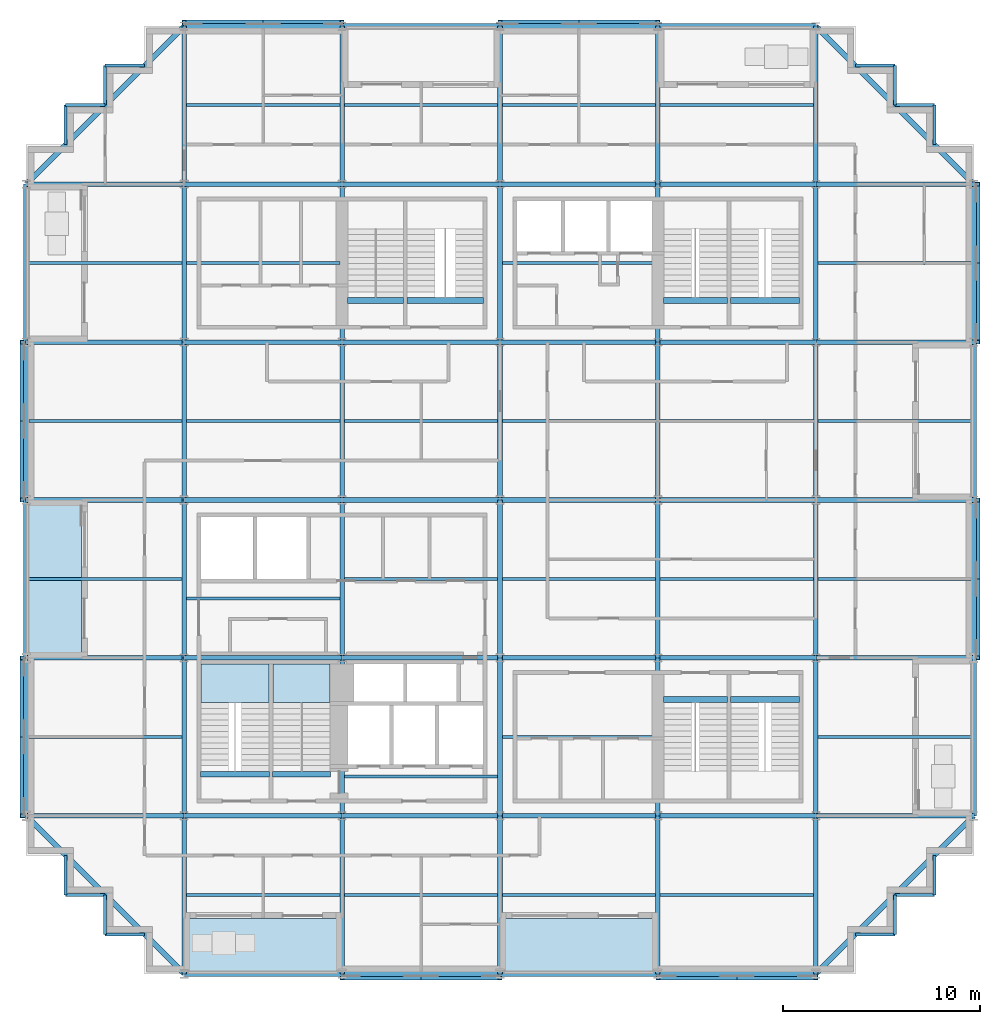
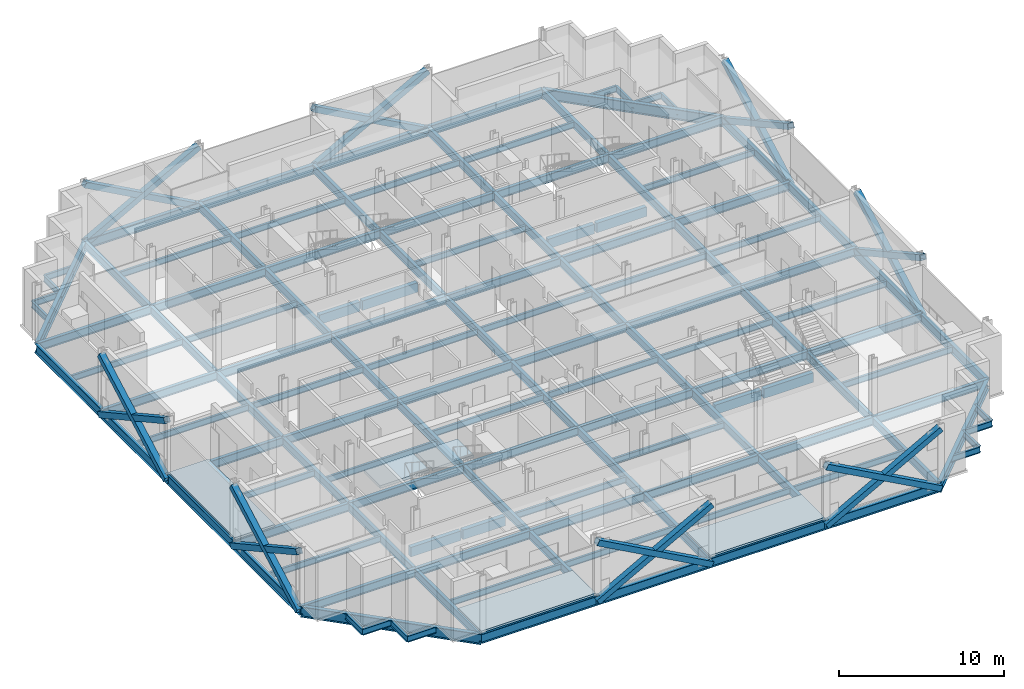
# One storey, part 4 of 15: 132 beams, 16 members, 5 slabs, 2 elements without a shape of their own.
"""IFC4 building model written with IfcOpenShell, lengths in metres."""

from ifc_helpers import new_model, si_unit, direction, frame, origin, origin_2d, place, context, subcontext, project, spatial, polyline, rectangle, hollow_rectangle, i_section, outline, extrude, material, layer, layer_set, material_profile, profile_set, type_object, element, aggregate, save


model = new_model("IFC4")

# Units and contexts
model_context = context("Model", 3, precision=1e-05, world=origin(), true_north=direction((0.0, 1.0)))
body_context = subcontext(model_context, "Body", "Model", "MODEL_VIEW")
ifc_project = project(units=[si_unit("LENGTHUNIT", "METRE"), si_unit("AREAUNIT", "SQUARE_METRE"), si_unit("VOLUMEUNIT", "CUBIC_METRE"), si_unit("PLANEANGLEUNIT", "RADIAN"), si_unit("MASSUNIT", "GRAM", prefix="KILO")], contexts=[model_context])

# Site, building, storey
site_placement = place(None, origin())
site = spatial("IfcSite", under=ifc_project, at=site_placement, CompositionType="ELEMENT")
building_placement = place(site_placement, origin())
building = spatial("IfcBuilding", under=site, at=building_placement, Name="Immortelle Media Tower", CompositionType="ELEMENT")
storey_placement = place(building_placement, frame((0.0, 0.0, 65.60009765625)))
storey = spatial("IfcBuildingStorey", under=building, at=storey_placement, Name="L11", CompositionType="ELEMENT", Elevation=65.60009765625)

# Members
ifc_material_1 = material(Name="Steel ASTM A500 Gr C", Category="steel")
ifc_material_profile_1 = material_profile(ifc_material_1, hollow_rectangle(XDim=0.406005859375, YDim=0.406005859375, WallThickness=0.014892578125, at=origin_2d()), Name="HSS16x16x5/8 brace")
ifc_profile_set_1 = profile_set([ifc_material_profile_1], Name="Steel ASTM A500 Gr C")
member_type = type_object("IfcMemberType", Name="HSS16x16x5/8 brace", PredefinedType="BRACE", material=ifc_profile_set_1)
for number, where, z_axis, x_axis, name in (
    (1, (-0.113037109375, 32.0, -0.49658203125), (0.0, -0.876220425204, 0.481910537812), (1.0, 0.0, 0.0), "Brace 1/D-E A"),
    (2, (-0.113037109375, 32.0, 3.9033203125), (0.0, -0.876220425204, -0.481910537812), (1.0, 0.0, 0.0), "Brace 1/D-E B"),
    (3, (-0.113037109375, 16.0, -0.49658203125), (0.0, -0.876220425204, 0.481910537812), (1.0, 0.0, 0.0), "Brace 1/B-C A"),
    (4, (-0.113037109375, 16.0, 3.9033203125), (0.0, -0.876220425204, -0.481910537812), (1.0, 0.0, 0.0), "Brace 1/B-C B"),
    (5, (16.0, -0.113037109375, -0.49658203125), (0.876220425204, 0.0, 0.481910537812), (0.0, 1.0, 0.0), "Brace A/3-4 A"),
    (6, (16.0, -0.113037109375, 3.9033203125), (0.876220425204, 0.0, -0.481910537812), (0.0, 1.0, 0.0), "Brace A/3-4 B"),
    (7, (32.0, -0.113037109375, -0.49658203125), (0.876220425204, 0.0, 0.481910537812), (0.0, 1.0, 0.0), "Brace A/5-6 A"),
    (8, (32.0, -0.113037109375, 3.9033203125), (0.876220425204, 0.0, -0.481910537812), (0.0, 1.0, 0.0), "Brace A/5-6 B"),
    (9, (48.113037109375, 16.0, -0.49658203125), (0.0, 0.876220425204, 0.481910537812), (-1.0, 0.0, 0.0), "Brace 7/C-D A"),
    (10, (48.113037109375, 16.0, 3.9033203125), (0.0, 0.876220425204, -0.481910537812), (-1.0, 0.0, 0.0), "Brace 7/C-D B"),
    (11, (48.113037109375, 32.0, -0.49658203125), (0.0, 0.876220425204, 0.481910537812), (-1.0, 0.0, 0.0), "Brace 7/E-F A"),
    (12, (48.113037109375, 32.0, 3.9033203125), (0.0, 0.876220425204, -0.481910537812), (-1.0, 0.0, 0.0), "Brace 7/E-F B"),
    (13, (32.0, 48.113037109375, -0.49658203125), (-0.876220425204, 0.0, 0.481910537812), (0.0, -1.0, 0.0), "Brace G/4-5 A"),
    (14, (32.0, 48.113037109375, 3.9033203125), (-0.876220425204, 0.0, -0.481910537812), (0.0, -1.0, 0.0), "Brace G/4-5 B"),
    (15, (16.0, 48.113037109375, -0.49658203125), (-0.876220425204, 0.0, 0.481910537812), (0.0, -1.0, 0.0), "Brace G/2-3 A"),
    (16, (16.0, 48.113037109375, 3.9033203125), (-0.876220425204, 0.0, -0.481910537812), (0.0, -1.0, 0.0), "Brace G/2-3 B"),
):
    element("IfcMember", number, at=place(storey_placement, frame(where, z_axis=z_axis, x_axis=x_axis)), inside=storey, type_object=member_type, Name=name, PredefinedType="BRACE", context=body_context, shape_type="SweptSolid", body=[
        extrude(hollow_rectangle(XDim=0.406005859375, YDim=0.406005859375, WallThickness=0.014892578125, at=origin_2d()), origin(), (0.0, 0.0, 1.0), 9.130126953125),
    ])

# Beams
ifc_material_2 = material(Name="Concrete C50/60", Category="concrete")
ifc_material_profile_2 = material_profile(ifc_material_2, rectangle(XDim=0.300048828125, YDim=0.699951171875, at=origin_2d()), Name="RC 300x700")
ifc_profile_set_2 = profile_set([ifc_material_profile_2], Name="Concrete C50/60")
beam_type_1 = type_object("IfcBeamType", Name="Stair trimmer beam 300 x 700", PredefinedType="BEAM", material=ifc_profile_set_2)
beam_1_placement = place(storey_placement, frame((8.830078125, 10.10498046875, -0.5), z_axis=(1.0, 0.0, 0.0), x_axis=(0.0, 1.0, 0.0)))
element("IfcBeam", 17, at=beam_1_placement, inside=storey, type_object=beam_type_1, Name="Stair trimmer beam SW1", PredefinedType="BEAM", context=body_context, shape_type="SweptSolid", body=[
    extrude(rectangle(XDim=0.300048828125, YDim=0.699951171875, at=origin_2d()), origin(), (0.0, 0.0, 1.0), 3.489990234375),
])
beam_2_placement = place(storey_placement, frame((12.47998046875, 10.10498046875, -0.5), z_axis=(1.0, 0.0, 0.0), x_axis=(0.0, 1.0, 0.0)))
element("IfcBeam", 18, at=beam_2_placement, inside=storey, type_object=beam_type_1, Name="Stair trimmer beam SW2", PredefinedType="BEAM", context=body_context, shape_type="SweptSolid", body=[
    extrude(rectangle(XDim=0.300048828125, YDim=0.699951171875, at=origin_2d()), origin(), (0.0, 0.0, 1.0), 2.93994140625),
])
beam_3_placement = place(storey_placement, frame((32.280029296875, 13.89501953125, -0.5), z_axis=(1.0, 0.0, 0.0), x_axis=(0.0, 1.0, 0.0)))
element("IfcBeam", 19, at=beam_3_placement, inside=storey, type_object=beam_type_1, Name="Stair trimmer beam SE1", PredefinedType="BEAM", context=body_context, shape_type="SweptSolid", body=[
    extrude(rectangle(XDim=0.300048828125, YDim=0.699951171875, at=origin_2d()), origin(), (0.0, 0.0, 1.0), 3.239990234375),
])
beam_4_placement = place(storey_placement, frame((35.679931640625, 13.89501953125, -0.5), z_axis=(1.0, 0.0, 0.0), x_axis=(0.0, 1.0, 0.0)))
element("IfcBeam", 20, at=beam_4_placement, inside=storey, type_object=beam_type_1, Name="Stair trimmer beam SE2", PredefinedType="BEAM", context=body_context, shape_type="SweptSolid", body=[
    extrude(rectangle(XDim=0.300048828125, YDim=0.699951171875, at=origin_2d()), origin(), (0.0, 0.0, 1.0), 3.489990234375),
])
beam_5_placement = place(storey_placement, frame((16.280029296875, 34.10498046875, -0.5), z_axis=(1.0, 0.0, 0.0), x_axis=(0.0, 1.0, 0.0)))
element("IfcBeam", 21, at=beam_5_placement, inside=storey, type_object=beam_type_1, Name="Stair trimmer beam NW1", PredefinedType="BEAM", context=body_context, shape_type="SweptSolid", body=[
    extrude(rectangle(XDim=0.300048828125, YDim=0.699951171875, at=origin_2d()), origin(), (0.0, 0.0, 1.0), 2.840087890625),
])
beam_6_placement = place(storey_placement, frame((19.280029296875, 34.10498046875, -0.5), z_axis=(1.0, 0.0, 0.0), x_axis=(0.0, 1.0, 0.0)))
element("IfcBeam", 22, at=beam_6_placement, inside=storey, type_object=beam_type_1, Name="Stair trimmer beam NW2", PredefinedType="BEAM", context=body_context, shape_type="SweptSolid", body=[
    extrude(rectangle(XDim=0.300048828125, YDim=0.699951171875, at=origin_2d()), origin(), (0.0, 0.0, 1.0), 3.889892578125),
])
beam_7_placement = place(storey_placement, frame((32.280029296875, 34.10498046875, -0.5), z_axis=(1.0, 0.0, 0.0), x_axis=(0.0, 1.0, 0.0)))
element("IfcBeam", 23, at=beam_7_placement, inside=storey, type_object=beam_type_1, Name="Stair trimmer beam NE1", PredefinedType="BEAM", context=body_context, shape_type="SweptSolid", body=[
    extrude(rectangle(XDim=0.300048828125, YDim=0.699951171875, at=origin_2d()), origin(), (0.0, 0.0, 1.0), 3.239990234375),
])
beam_8_placement = place(storey_placement, frame((35.679931640625, 34.10498046875, -0.5), z_axis=(1.0, 0.0, 0.0), x_axis=(0.0, 1.0, 0.0)))
element("IfcBeam", 24, at=beam_8_placement, inside=storey, type_object=beam_type_1, Name="Stair trimmer beam NE2", PredefinedType="BEAM", context=body_context, shape_type="SweptSolid", body=[
    extrude(rectangle(XDim=0.300048828125, YDim=0.699951171875, at=origin_2d()), origin(), (0.0, 0.0, 1.0), 3.489990234375),
])
ifc_material_3 = material(Name="Steel ASTM A992 Gr 50", Category="steel")
ifc_material_profile_3 = material_profile(ifc_material_3, i_section(OverallWidth=0.153076171875, OverallDepth=0.455078125, WebThickness=0.008056640625, FlangeThickness=0.012939453125, at=origin_2d()), Name="W18x40")
ifc_profile_set_3 = profile_set([ifc_material_profile_3], Name="Steel ASTM A992 Gr 50")
beam_type_2 = type_object("IfcBeamType", Name="W18x40 secondary beam", PredefinedType="JOIST", material=ifc_profile_set_3)
for number, where, z_axis, x_axis, name in (
    (25, (8.114501953125, 4.0, -0.377685546875), (1.0, 0.0, 0.0), (0.0, 1.0, 0.0), "Beam A-B/2-3"),
    (26, (16.114501953125, 4.0, -0.377685546875), (1.0, 0.0, 0.0), (0.0, 1.0, 0.0), "Beam A-B/3-4"),
    (27, (24.114501953125, 4.0, -0.377685546875), (1.0, 0.0, 0.0), (0.0, 1.0, 0.0), "Beam A-B/4-5"),
    (28, (32.114501953125, 4.0, -0.377685546875), (1.0, 0.0, 0.0), (0.0, 1.0, 0.0), "Beam A-B/5-6"),
):
    element("IfcBeam", number, at=place(storey_placement, frame(where, z_axis=z_axis, x_axis=x_axis)), inside=storey, type_object=beam_type_2, Name=name, PredefinedType="JOIST", context=body_context, shape_type="SweptSolid", body=[
        extrude(i_section(OverallWidth=0.153076171875, OverallDepth=0.455078125, WebThickness=0.008056640625, FlangeThickness=0.012939453125, at=origin_2d()), origin(), (0.0, 0.0, 1.0), 7.77099609375),
    ])
beam_9_placement = place(storey_placement, frame((0.12841796875, 12.0, -0.377685546875), z_axis=(1.0, 0.0, 0.0), x_axis=(0.0, 1.0, 0.0)))
element("IfcBeam", 29, at=beam_9_placement, inside=storey, type_object=beam_type_2, Name="Beam B-C/1-2", PredefinedType="JOIST", context=body_context, shape_type="SweptSolid", body=[
    extrude(i_section(OverallWidth=0.153076171875, OverallDepth=0.455078125, WebThickness=0.008056640625, FlangeThickness=0.012939453125, at=origin_2d()), origin(), (0.0, 0.0, 1.0), 7.757080078125),
])
for number, where, z_axis, x_axis, name in (
    (30, (16.114501953125, 10.0, -0.377685546875), (1.0, 0.0, 0.0), (0.0, 1.0, 0.0), "Beam B-C/3-4"),
    (31, (24.114501953125, 12.0, -0.377685546875), (1.0, 0.0, 0.0), (0.0, 1.0, 0.0), "Beam B-C/4-5"),
):
    element("IfcBeam", number, at=place(storey_placement, frame(where, z_axis=z_axis, x_axis=x_axis)), inside=storey, type_object=beam_type_2, Name=name, PredefinedType="JOIST", context=body_context, shape_type="SweptSolid", body=[
        extrude(i_section(OverallWidth=0.153076171875, OverallDepth=0.455078125, WebThickness=0.008056640625, FlangeThickness=0.012939453125, at=origin_2d()), origin(), (0.0, 0.0, 1.0), 7.77099609375),
    ])
for number, where, z_axis, x_axis, name in (
    (32, (40.114501953125, 12.0, -0.377685546875), (1.0, 0.0, 0.0), (0.0, 1.0, 0.0), "Beam B-C/6-7"),
    (33, (0.12841796875, 20.0, -0.377685546875), (1.0, 0.0, 0.0), (0.0, 1.0, 0.0), "Beam C-D/1-2"),
):
    element("IfcBeam", number, at=place(storey_placement, frame(where, z_axis=z_axis, x_axis=x_axis)), inside=storey, type_object=beam_type_2, Name=name, PredefinedType="JOIST", context=body_context, shape_type="SweptSolid", body=[
        extrude(i_section(OverallWidth=0.153076171875, OverallDepth=0.455078125, WebThickness=0.008056640625, FlangeThickness=0.012939453125, at=origin_2d()), origin(), (0.0, 0.0, 1.0), 7.757080078125),
    ])
for number, where, z_axis, x_axis, name in (
    (34, (8.114501953125, 19.0, -0.377685546875), (1.0, 0.0, 0.0), (0.0, 1.0, 0.0), "Beam C-D/2-3"),
    (35, (16.114501953125, 20.0, -0.377685546875), (1.0, 0.0, 0.0), (0.0, 1.0, 0.0), "Beam C-D/3-4"),
    (36, (24.114501953125, 20.0, -0.377685546875), (1.0, 0.0, 0.0), (0.0, 1.0, 0.0), "Beam C-D/4-5"),
    (37, (32.114501953125, 20.0, -0.377685546875), (1.0, 0.0, 0.0), (0.0, 1.0, 0.0), "Beam C-D/5-6"),
):
    element("IfcBeam", number, at=place(storey_placement, frame(where, z_axis=z_axis, x_axis=x_axis)), inside=storey, type_object=beam_type_2, Name=name, PredefinedType="JOIST", context=body_context, shape_type="SweptSolid", body=[
        extrude(i_section(OverallWidth=0.153076171875, OverallDepth=0.455078125, WebThickness=0.008056640625, FlangeThickness=0.012939453125, at=origin_2d()), origin(), (0.0, 0.0, 1.0), 7.77099609375),
    ])
for number, where, z_axis, x_axis, name in (
    (38, (40.114501953125, 20.0, -0.377685546875), (1.0, 0.0, 0.0), (0.0, 1.0, 0.0), "Beam C-D/6-7"),
    (39, (0.12841796875, 28.0, -0.377685546875), (1.0, 0.0, 0.0), (0.0, 1.0, 0.0), "Beam D-E/1-2"),
):
    element("IfcBeam", number, at=place(storey_placement, frame(where, z_axis=z_axis, x_axis=x_axis)), inside=storey, type_object=beam_type_2, Name=name, PredefinedType="JOIST", context=body_context, shape_type="SweptSolid", body=[
        extrude(i_section(OverallWidth=0.153076171875, OverallDepth=0.455078125, WebThickness=0.008056640625, FlangeThickness=0.012939453125, at=origin_2d()), origin(), (0.0, 0.0, 1.0), 7.757080078125),
    ])
for number, where, z_axis, x_axis, name in (
    (40, (8.114501953125, 28.0, -0.377685546875), (1.0, 0.0, 0.0), (0.0, 1.0, 0.0), "Beam D-E/2-3"),
    (41, (16.114501953125, 28.0, -0.377685546875), (1.0, 0.0, 0.0), (0.0, 1.0, 0.0), "Beam D-E/3-4"),
    (42, (24.114501953125, 28.0, -0.377685546875), (1.0, 0.0, 0.0), (0.0, 1.0, 0.0), "Beam D-E/4-5"),
    (43, (32.114501953125, 28.0, -0.377685546875), (1.0, 0.0, 0.0), (0.0, 1.0, 0.0), "Beam D-E/5-6"),
):
    element("IfcBeam", number, at=place(storey_placement, frame(where, z_axis=z_axis, x_axis=x_axis)), inside=storey, type_object=beam_type_2, Name=name, PredefinedType="JOIST", context=body_context, shape_type="SweptSolid", body=[
        extrude(i_section(OverallWidth=0.153076171875, OverallDepth=0.455078125, WebThickness=0.008056640625, FlangeThickness=0.012939453125, at=origin_2d()), origin(), (0.0, 0.0, 1.0), 7.77099609375),
    ])
for number, where, z_axis, x_axis, name in (
    (44, (40.114501953125, 28.0, -0.377685546875), (1.0, 0.0, 0.0), (0.0, 1.0, 0.0), "Beam D-E/6-7"),
    (45, (0.12841796875, 36.0, -0.377685546875), (1.0, 0.0, 0.0), (0.0, 1.0, 0.0), "Beam E-F/1-2"),
):
    element("IfcBeam", number, at=place(storey_placement, frame(where, z_axis=z_axis, x_axis=x_axis)), inside=storey, type_object=beam_type_2, Name=name, PredefinedType="JOIST", context=body_context, shape_type="SweptSolid", body=[
        extrude(i_section(OverallWidth=0.153076171875, OverallDepth=0.455078125, WebThickness=0.008056640625, FlangeThickness=0.012939453125, at=origin_2d()), origin(), (0.0, 0.0, 1.0), 7.757080078125),
    ])
for number, where, z_axis, x_axis, name in (
    (46, (8.114501953125, 36.0, -0.377685546875), (1.0, 0.0, 0.0), (0.0, 1.0, 0.0), "Beam E-F/2-3"),
    (47, (24.114501953125, 36.0, -0.377685546875), (1.0, 0.0, 0.0), (0.0, 1.0, 0.0), "Beam E-F/4-5"),
):
    element("IfcBeam", number, at=place(storey_placement, frame(where, z_axis=z_axis, x_axis=x_axis)), inside=storey, type_object=beam_type_2, Name=name, PredefinedType="JOIST", context=body_context, shape_type="SweptSolid", body=[
        extrude(i_section(OverallWidth=0.153076171875, OverallDepth=0.455078125, WebThickness=0.008056640625, FlangeThickness=0.012939453125, at=origin_2d()), origin(), (0.0, 0.0, 1.0), 7.77099609375),
    ])
beam_10_placement = place(storey_placement, frame((40.114501953125, 36.0, -0.377685546875), z_axis=(1.0, 0.0, 0.0), x_axis=(0.0, 1.0, 0.0)))
element("IfcBeam", 48, at=beam_10_placement, inside=storey, type_object=beam_type_2, Name="Beam E-F/6-7", PredefinedType="JOIST", context=body_context, shape_type="SweptSolid", body=[
    extrude(i_section(OverallWidth=0.153076171875, OverallDepth=0.455078125, WebThickness=0.008056640625, FlangeThickness=0.012939453125, at=origin_2d()), origin(), (0.0, 0.0, 1.0), 7.757080078125),
])
for number, where, z_axis, x_axis, name in (
    (49, (8.114501953125, 44.0, -0.377685546875), (1.0, 0.0, 0.0), (0.0, 1.0, 0.0), "Beam F-G/2-3"),
    (50, (16.114501953125, 44.0, -0.377685546875), (1.0, 0.0, 0.0), (0.0, 1.0, 0.0), "Beam F-G/3-4"),
    (51, (24.114501953125, 44.0, -0.377685546875), (1.0, 0.0, 0.0), (0.0, 1.0, 0.0), "Beam F-G/4-5"),
    (52, (32.114501953125, 44.0, -0.377685546875), (1.0, 0.0, 0.0), (0.0, 1.0, 0.0), "Beam F-G/5-6"),
):
    element("IfcBeam", number, at=place(storey_placement, frame(where, z_axis=z_axis, x_axis=x_axis)), inside=storey, type_object=beam_type_2, Name=name, PredefinedType="JOIST", context=body_context, shape_type="SweptSolid", body=[
        extrude(i_section(OverallWidth=0.153076171875, OverallDepth=0.455078125, WebThickness=0.008056640625, FlangeThickness=0.012939453125, at=origin_2d()), origin(), (0.0, 0.0, 1.0), 7.77099609375),
    ])
ifc_material_profile_4 = material_profile(ifc_material_3, i_section(OverallWidth=0.153076171875, OverallDepth=0.455078125, WebThickness=0.008056640625, FlangeThickness=0.012939453125, at=origin_2d()), Name="W18x40")
ifc_profile_set_4 = profile_set([ifc_material_profile_4], Name="Steel ASTM A992 Gr 50")
beam_type_3 = type_object("IfcBeamType", Name="W18x40 serration edge beam", PredefinedType="SPANDREL", material=ifc_profile_set_4)
for number, where, z_axis, x_axis, name in (
    (53, (6.0, 2.0, -0.377685546875), (-1.0, 0.0, 0.0), (0.0, -1.0, 0.0), "Corner edge beam 1 at 1/A"),
    (54, (4.0, 2.0, -0.377685546875), (0.0, 1.0, 0.0), (-1.0, 0.0, 0.0), "Corner edge beam 2 at 1/A"),
    (55, (4.0, 4.0, -0.377685546875), (-1.0, 0.0, 0.0), (0.0, -1.0, 0.0), "Corner edge beam 3 at 1/A"),
    (56, (2.0, 4.0, -0.377685546875), (0.0, 1.0, 0.0), (-1.0, 0.0, 0.0), "Corner edge beam 4 at 1/A"),
    (57, (2.0, 42.0, -0.377685546875), (0.0, 1.0, 0.0), (-1.0, 0.0, 0.0), "Corner edge beam 1 at 1/G"),
    (58, (2.0, 44.0, -0.377685546875), (1.0, 0.0, 0.0), (0.0, 1.0, 0.0), "Corner edge beam 2 at 1/G"),
    (59, (4.0, 44.0, -0.377685546875), (0.0, 1.0, 0.0), (-1.0, 0.0, 0.0), "Corner edge beam 3 at 1/G"),
    (60, (4.0, 46.0, -0.377685546875), (1.0, 0.0, 0.0), (0.0, 1.0, 0.0), "Corner edge beam 4 at 1/G"),
    (61, (46.0, 6.0, -0.377685546875), (0.0, -1.0, 0.0), (1.0, 0.0, 0.0), "Corner edge beam 1 at 7/A"),
    (62, (46.0, 4.0, -0.377685546875), (-1.0, 0.0, 0.0), (0.0, -1.0, 0.0), "Corner edge beam 2 at 7/A"),
    (63, (44.0, 4.0, -0.377685546875), (0.0, -1.0, 0.0), (1.0, 0.0, 0.0), "Corner edge beam 3 at 7/A"),
    (64, (44.0, 2.0, -0.377685546875), (-1.0, 0.0, 0.0), (0.0, -1.0, 0.0), "Corner edge beam 4 at 7/A"),
    (65, (42.0, 46.0, -0.377685546875), (1.0, 0.0, 0.0), (0.0, 1.0, 0.0), "Corner edge beam 1 at 7/G"),
    (66, (44.0, 46.0, -0.377685546875), (0.0, -1.0, 0.0), (1.0, 0.0, 0.0), "Corner edge beam 2 at 7/G"),
    (67, (44.0, 44.0, -0.377685546875), (1.0, 0.0, 0.0), (0.0, 1.0, 0.0), "Corner edge beam 3 at 7/G"),
    (68, (46.0, 44.0, -0.377685546875), (0.0, -1.0, 0.0), (1.0, 0.0, 0.0), "Corner edge beam 4 at 7/G"),
):
    element("IfcBeam", number, at=place(storey_placement, frame(where, z_axis=z_axis, x_axis=x_axis)), inside=storey, type_object=beam_type_3, Name=name, PredefinedType="SPANDREL", context=body_context, shape_type="SweptSolid", body=[
        extrude(i_section(OverallWidth=0.153076171875, OverallDepth=0.455078125, WebThickness=0.008056640625, FlangeThickness=0.012939453125, at=origin_2d()), origin(), (0.0, 0.0, 1.0), 2.0),
    ])
ifc_material_profile_5 = material_profile(ifc_material_3, i_section(OverallWidth=0.22900390625, OverallDepth=0.612060546875, WebThickness=0.011962890625, FlangeThickness=0.02001953125, at=origin_2d()), Name="W24x84")
ifc_profile_set_5 = profile_set([ifc_material_profile_5], Name="Steel ASTM A992 Gr 50")
beam_type_4 = type_object("IfcBeamType", Name="W24x84 girder", PredefinedType="BEAM", material=ifc_profile_set_5)
for number, where, z_axis, x_axis, name in (
    (69, (0.0, 8.0, -0.4560546875), (1.0, 0.0, 0.0), (0.0, 1.0, 0.0), "Girder B/1-2"),
    (70, (0.0, 16.0, -0.4560546875), (1.0, 0.0, 0.0), (0.0, 1.0, 0.0), "Girder C/1-2"),
    (71, (0.0, 24.0, -0.4560546875), (1.0, 0.0, 0.0), (0.0, 1.0, 0.0), "Girder D/1-2"),
    (72, (0.0, 32.0, -0.4560546875), (1.0, 0.0, 0.0), (0.0, 1.0, 0.0), "Girder E/1-2"),
    (73, (0.0, 40.0, -0.4560546875), (1.0, 0.0, 0.0), (0.0, 1.0, 0.0), "Girder F/1-2"),
    (74, (8.0, 0.0, -0.4560546875), (0.0, 1.0, 0.0), (-1.0, 0.0, 0.0), "Girder 2/A-B"),
    (75, (8.0, 8.0, -0.4560546875), (1.0, 0.0, 0.0), (0.0, 1.0, 0.0), "Girder B/2-3"),
    (76, (8.0, 8.0, -0.4560546875), (0.0, 1.0, 0.0), (-1.0, 0.0, 0.0), "Girder 2/B-C"),
    (77, (8.0, 16.0, -0.4560546875), (1.0, 0.0, 0.0), (0.0, 1.0, 0.0), "Girder C/2-3"),
    (78, (8.0, 16.0, -0.4560546875), (0.0, 1.0, 0.0), (-1.0, 0.0, 0.0), "Girder 2/C-D"),
    (79, (8.0, 24.0, -0.4560546875), (1.0, 0.0, 0.0), (0.0, 1.0, 0.0), "Girder D/2-3"),
    (80, (8.0, 24.0, -0.4560546875), (0.0, 1.0, 0.0), (-1.0, 0.0, 0.0), "Girder 2/D-E"),
    (81, (8.0, 32.0, -0.4560546875), (1.0, 0.0, 0.0), (0.0, 1.0, 0.0), "Girder E/2-3"),
    (82, (8.0, 32.0, -0.4560546875), (0.0, 1.0, 0.0), (-1.0, 0.0, 0.0), "Girder 2/E-F"),
    (83, (8.0, 40.0, -0.4560546875), (1.0, 0.0, 0.0), (0.0, 1.0, 0.0), "Girder F/2-3"),
    (84, (8.0, 40.0, -0.4560546875), (0.0, 1.0, 0.0), (-1.0, 0.0, 0.0), "Girder 2/F-G"),
    (85, (16.0, 0.0, -0.4560546875), (0.0, 1.0, 0.0), (-1.0, 0.0, 0.0), "Girder 3/A-B"),
    (86, (16.0, 8.0, -0.4560546875), (1.0, 0.0, 0.0), (0.0, 1.0, 0.0), "Girder B/3-4"),
    (87, (16.0, 8.0, -0.4560546875), (0.0, 1.0, 0.0), (-1.0, 0.0, 0.0), "Girder 3/B-C"),
    (88, (16.0, 16.0, -0.4560546875), (1.0, 0.0, 0.0), (0.0, 1.0, 0.0), "Girder C/3-4"),
    (89, (16.0, 16.0, -0.4560546875), (0.0, 1.0, 0.0), (-1.0, 0.0, 0.0), "Girder 3/C-D"),
    (90, (16.0, 24.0, -0.4560546875), (1.0, 0.0, 0.0), (0.0, 1.0, 0.0), "Girder D/3-4"),
    (91, (16.0, 24.0, -0.4560546875), (0.0, 1.0, 0.0), (-1.0, 0.0, 0.0), "Girder 3/D-E"),
    (92, (16.0, 32.0, -0.4560546875), (1.0, 0.0, 0.0), (0.0, 1.0, 0.0), "Girder E/3-4"),
    (93, (16.0, 32.0, -0.4560546875), (0.0, 1.0, 0.0), (-1.0, 0.0, 0.0), "Girder 3/E-F"),
    (94, (16.0, 40.0, -0.4560546875), (1.0, 0.0, 0.0), (0.0, 1.0, 0.0), "Girder F/3-4"),
    (95, (16.0, 40.0, -0.4560546875), (0.0, 1.0, 0.0), (-1.0, 0.0, 0.0), "Girder 3/F-G"),
    (96, (24.0, 0.0, -0.4560546875), (0.0, 1.0, 0.0), (-1.0, 0.0, 0.0), "Girder 4/A-B"),
    (97, (24.0, 8.0, -0.4560546875), (1.0, 0.0, 0.0), (0.0, 1.0, 0.0), "Girder B/4-5"),
    (98, (24.0, 8.0, -0.4560546875), (0.0, 1.0, 0.0), (-1.0, 0.0, 0.0), "Girder 4/B-C"),
    (99, (24.0, 16.0, -0.4560546875), (1.0, 0.0, 0.0), (0.0, 1.0, 0.0), "Girder C/4-5"),
    (100, (24.0, 16.0, -0.4560546875), (0.0, 1.0, 0.0), (-1.0, 0.0, 0.0), "Girder 4/C-D"),
    (101, (24.0, 24.0, -0.4560546875), (1.0, 0.0, 0.0), (0.0, 1.0, 0.0), "Girder D/4-5"),
    (102, (24.0, 24.0, -0.4560546875), (0.0, 1.0, 0.0), (-1.0, 0.0, 0.0), "Girder 4/D-E"),
    (103, (24.0, 32.0, -0.4560546875), (1.0, 0.0, 0.0), (0.0, 1.0, 0.0), "Girder E/4-5"),
    (104, (24.0, 32.0, -0.4560546875), (0.0, 1.0, 0.0), (-1.0, 0.0, 0.0), "Girder 4/E-F"),
    (105, (24.0, 40.0, -0.4560546875), (1.0, 0.0, 0.0), (0.0, 1.0, 0.0), "Girder F/4-5"),
    (106, (24.0, 40.0, -0.4560546875), (0.0, 1.0, 0.0), (-1.0, 0.0, 0.0), "Girder 4/F-G"),
    (107, (32.0, 0.0, -0.4560546875), (0.0, 1.0, 0.0), (-1.0, 0.0, 0.0), "Girder 5/A-B"),
    (108, (32.0, 8.0, -0.4560546875), (1.0, 0.0, 0.0), (0.0, 1.0, 0.0), "Girder B/5-6"),
    (109, (32.0, 8.0, -0.4560546875), (0.0, 1.0, 0.0), (-1.0, 0.0, 0.0), "Girder 5/B-C"),
    (110, (32.0, 16.0, -0.4560546875), (1.0, 0.0, 0.0), (0.0, 1.0, 0.0), "Girder C/5-6"),
    (111, (32.0, 16.0, -0.4560546875), (0.0, 1.0, 0.0), (-1.0, 0.0, 0.0), "Girder 5/C-D"),
    (112, (32.0, 24.0, -0.4560546875), (1.0, 0.0, 0.0), (0.0, 1.0, 0.0), "Girder D/5-6"),
    (113, (32.0, 24.0, -0.4560546875), (0.0, 1.0, 0.0), (-1.0, 0.0, 0.0), "Girder 5/D-E"),
    (114, (32.0, 32.0, -0.4560546875), (1.0, 0.0, 0.0), (0.0, 1.0, 0.0), "Girder E/5-6"),
    (115, (32.0, 32.0, -0.4560546875), (0.0, 1.0, 0.0), (-1.0, 0.0, 0.0), "Girder 5/E-F"),
    (116, (32.0, 40.0, -0.4560546875), (1.0, 0.0, 0.0), (0.0, 1.0, 0.0), "Girder F/5-6"),
    (117, (32.0, 40.0, -0.4560546875), (0.0, 1.0, 0.0), (-1.0, 0.0, 0.0), "Girder 5/F-G"),
    (118, (40.0, 0.0, -0.4560546875), (0.0, 1.0, 0.0), (-1.0, 0.0, 0.0), "Girder 6/A-B"),
    (119, (40.0, 8.0, -0.4560546875), (1.0, 0.0, 0.0), (0.0, 1.0, 0.0), "Girder B/6-7"),
    (120, (40.0, 8.0, -0.4560546875), (0.0, 1.0, 0.0), (-1.0, 0.0, 0.0), "Girder 6/B-C"),
    (121, (40.0, 16.0, -0.4560546875), (1.0, 0.0, 0.0), (0.0, 1.0, 0.0), "Girder C/6-7"),
    (122, (40.0, 16.0, -0.4560546875), (0.0, 1.0, 0.0), (-1.0, 0.0, 0.0), "Girder 6/C-D"),
    (123, (40.0, 24.0, -0.4560546875), (1.0, 0.0, 0.0), (0.0, 1.0, 0.0), "Girder D/6-7"),
    (124, (40.0, 24.0, -0.4560546875), (0.0, 1.0, 0.0), (-1.0, 0.0, 0.0), "Girder 6/D-E"),
    (125, (40.0, 32.0, -0.4560546875), (1.0, 0.0, 0.0), (0.0, 1.0, 0.0), "Girder E/6-7"),
    (126, (40.0, 32.0, -0.4560546875), (0.0, 1.0, 0.0), (-1.0, 0.0, 0.0), "Girder 6/E-F"),
    (127, (40.0, 40.0, -0.4560546875), (1.0, 0.0, 0.0), (0.0, 1.0, 0.0), "Girder F/6-7"),
    (128, (40.0, 40.0, -0.4560546875), (0.0, 1.0, 0.0), (-1.0, 0.0, 0.0), "Girder 6/F-G"),
):
    element("IfcBeam", number, at=place(storey_placement, frame(where, z_axis=z_axis, x_axis=x_axis)), inside=storey, type_object=beam_type_4, Name=name, PredefinedType="BEAM", context=body_context, shape_type="SweptSolid", body=[
        extrude(i_section(OverallWidth=0.22900390625, OverallDepth=0.612060546875, WebThickness=0.011962890625, FlangeThickness=0.02001953125, at=origin_2d()), origin(), (0.0, 0.0, 1.0), 8.0),
    ])
ifc_material_profile_6 = material_profile(ifc_material_3, i_section(OverallWidth=0.257080078125, OverallDepth=0.693115234375, WebThickness=0.013916015625, FlangeThickness=0.02392578125, at=origin_2d()), Name="W27x114")
ifc_profile_set_6 = profile_set([ifc_material_profile_6], Name="Steel ASTM A992 Gr 50")
beam_type_5 = type_object("IfcBeamType", Name="W27x114 perimeter girder", PredefinedType="SPANDREL", material=ifc_profile_set_6)
for number, where, z_axis, x_axis, name in (
    (129, (0.0, 8.0, -0.49658203125), (0.0, 1.0, 0.0), (-1.0, 0.0, 0.0), "Girder 1/B-C"),
    (130, (0.0, 16.0, -0.49658203125), (0.0, 1.0, 0.0), (-1.0, 0.0, 0.0), "Girder 1/C-D"),
    (131, (0.0, 24.0, -0.49658203125), (0.0, 1.0, 0.0), (-1.0, 0.0, 0.0), "Girder 1/D-E"),
    (132, (0.0, 32.0, -0.49658203125), (0.0, 1.0, 0.0), (-1.0, 0.0, 0.0), "Girder 1/E-F"),
    (133, (8.0, 0.0, -0.49658203125), (1.0, 0.0, 0.0), (0.0, 1.0, 0.0), "Girder A/2-3"),
    (134, (8.0, 48.0, -0.49658203125), (1.0, 0.0, 0.0), (0.0, 1.0, 0.0), "Girder G/2-3"),
    (135, (16.0, 0.0, -0.49658203125), (1.0, 0.0, 0.0), (0.0, 1.0, 0.0), "Girder A/3-4"),
    (136, (16.0, 48.0, -0.49658203125), (1.0, 0.0, 0.0), (0.0, 1.0, 0.0), "Girder G/3-4"),
    (137, (24.0, 0.0, -0.49658203125), (1.0, 0.0, 0.0), (0.0, 1.0, 0.0), "Girder A/4-5"),
    (138, (24.0, 48.0, -0.49658203125), (1.0, 0.0, 0.0), (0.0, 1.0, 0.0), "Girder G/4-5"),
    (139, (32.0, 0.0, -0.49658203125), (1.0, 0.0, 0.0), (0.0, 1.0, 0.0), "Girder A/5-6"),
    (140, (32.0, 48.0, -0.49658203125), (1.0, 0.0, 0.0), (0.0, 1.0, 0.0), "Girder G/5-6"),
    (141, (48.0, 8.0, -0.49658203125), (0.0, 1.0, 0.0), (-1.0, 0.0, 0.0), "Girder 7/B-C"),
    (142, (48.0, 16.0, -0.49658203125), (0.0, 1.0, 0.0), (-1.0, 0.0, 0.0), "Girder 7/C-D"),
    (143, (48.0, 24.0, -0.49658203125), (0.0, 1.0, 0.0), (-1.0, 0.0, 0.0), "Girder 7/D-E"),
    (144, (48.0, 32.0, -0.49658203125), (0.0, 1.0, 0.0), (-1.0, 0.0, 0.0), "Girder 7/E-F"),
):
    element("IfcBeam", number, at=place(storey_placement, frame(where, z_axis=z_axis, x_axis=x_axis)), inside=storey, type_object=beam_type_5, Name=name, PredefinedType="SPANDREL", context=body_context, shape_type="SweptSolid", body=[
        extrude(i_section(OverallWidth=0.257080078125, OverallDepth=0.693115234375, WebThickness=0.013916015625, FlangeThickness=0.02392578125, at=origin_2d()), origin(), (0.0, 0.0, 1.0), 8.0),
    ])
ifc_material_profile_7 = material_profile(ifc_material_3, i_section(OverallWidth=0.26708984375, OverallDepth=0.780029296875, WebThickness=0.01708984375, FlangeThickness=0.030029296875, at=origin_2d()), Name="W30x148")
ifc_profile_set_7 = profile_set([ifc_material_profile_7], Name="Steel ASTM A992 Gr 50")
beam_type_6 = type_object("IfcBeamType", Name="W30x148 corner girder", PredefinedType="SPANDREL", material=ifc_profile_set_7)
for number, where, z_axis, x_axis, name in (
    (145, (8.0, 0.0, -0.5400390625), (-0.707106781187, 0.707106781187, 0.0), (-0.707106781187, -0.707106781187, 0.0), "Corner girder at 1/A"),
    (146, (0.0, 40.0, -0.5400390625), (0.707106781187, 0.707106781187, 0.0), (-0.707106781187, 0.707106781187, 0.0), "Corner girder at 1/G"),
    (147, (48.0, 8.0, -0.5400390625), (-0.707106781187, -0.707106781187, 0.0), (0.707106781187, -0.707106781187, 0.0), "Corner girder at 7/A"),
    (148, (40.0, 48.0, -0.5400390625), (0.707106781187, -0.707106781187, 0.0), (0.707106781187, 0.707106781187, 0.0), "Corner girder at 7/G"),
):
    element("IfcBeam", number, at=place(storey_placement, frame(where, z_axis=z_axis, x_axis=x_axis)), inside=storey, type_object=beam_type_6, Name=name, PredefinedType="SPANDREL", context=body_context, shape_type="SweptSolid", body=[
        extrude(i_section(OverallWidth=0.26708984375, OverallDepth=0.780029296875, WebThickness=0.01708984375, FlangeThickness=0.030029296875, at=origin_2d()), origin(), (0.0, 0.0, 1.0), 11.313720703125),
    ])

# Slabs
ifc_material_4 = material(Name="Concrete C50/60 composite deck", Category="concrete")
ifc_layer_1 = layer(ifc_material_4, 0.14990234375)
ifc_layer_set_1 = layer_set([ifc_layer_1], Name="Concrete C50/60 composite deck")
slab_type_1 = type_object("IfcSlabType", Name="Balcony slab 150", PredefinedType="FLOOR", material=ifc_layer_set_1)
slab_1_placement = place(storey_placement, frame((0.0, 0.0, -0.150146484375)))
element("IfcSlab", 149, at=slab_1_placement, inside=storey, type_object=slab_type_1, Name="Balcony slab L11 W2", PredefinedType="FLOOR", context=body_context, shape_type="SweptSolid", body=[
    extrude(outline(polyline([(2.800048828125, 16.0), (2.800048828125, 24.0), (0.0, 24.0), (0.0, 16.0), (2.800048828125, 16.0)])), origin(), (0.0, 0.0, 1.0), 0.150146484375),
])
slab_2_placement = place(storey_placement, frame((0.0, 0.0, -0.150146484375)))
element("IfcSlab", 150, at=slab_2_placement, inside=storey, type_object=slab_type_1, Name="Balcony slab L11 S0", PredefinedType="FLOOR", context=body_context, shape_type="SweptSolid", body=[
    extrude(outline(polyline([(16.0, 0.0), (16.0, 2.800048828125), (8.0, 2.800048828125), (8.0, 0.0), (16.0, 0.0)])), origin(), (0.0, 0.0, 1.0), 0.150146484375),
])
slab_3_placement = place(storey_placement, frame((0.0, 0.0, -0.150146484375)))
element("IfcSlab", 151, at=slab_3_placement, inside=storey, type_object=slab_type_1, Name="Balcony slab L11 S2", PredefinedType="FLOOR", context=body_context, shape_type="SweptSolid", body=[
    extrude(outline(polyline([(32.0, 0.0), (32.0, 2.800048828125), (24.0, 2.800048828125), (24.0, 0.0), (32.0, 0.0)])), origin(), (0.0, 0.0, 1.0), 0.150146484375),
])

# Stair, slab
stair_type = type_object("IfcStairType", Name="Stair with flights", PredefinedType="DOUBLE_RETURN_STAIR", material=ifc_material_3)
stair_1_placement = place(storey_placement, origin())
stair_1 = element("IfcStair", 152, at=stair_1_placement, inside=storey, type_object=stair_type, Name="Exit stair SW1", PredefinedType="DOUBLE_RETURN_STAIR")
ifc_material_5 = material(Name="Steel ASTM A572 Gr 50", Category="steel")
ifc_layer_2 = layer(ifc_material_5, 0.199951171875)
ifc_layer_set_2 = layer_set([ifc_layer_2], Name="Steel ASTM A572 Gr 50")
slab_type_2 = type_object("IfcSlabType", Name="Stair landing 200", PredefinedType="LANDING", material=ifc_layer_set_2)
slab_4_placement = place(storey_placement, frame((0.0, 0.0, 1.911865234375)))
slab_4 = element("IfcSlab", 153, at=slab_4_placement, type_object=slab_type_2, Name="ST SW1 landing 1", PredefinedType="LANDING", context=body_context, shape_type="SweptSolid", body=[
    extrude(outline(polyline([(8.85009765625, 13.72998046875), (12.300048828125, 13.72998046875), (12.300048828125, 15.699951171875), (8.85009765625, 15.699951171875), (8.85009765625, 13.72998046875)])), origin(), (0.0, 0.0, 1.0), 0.199951171875),
])
aggregate(stair_1, [slab_4])

stair_2_placement = place(storey_placement, origin())
stair_2 = element("IfcStair", 154, at=stair_2_placement, inside=storey, type_object=stair_type, Name="Exit stair SW2", PredefinedType="DOUBLE_RETURN_STAIR")
slab_5_placement = place(storey_placement, frame((0.0, 0.0, 1.911865234375)))
slab_5 = element("IfcSlab", 155, at=slab_5_placement, type_object=slab_type_2, Name="ST SW2 landing 1", PredefinedType="LANDING", context=body_context, shape_type="SweptSolid", body=[
    extrude(outline(polyline([(12.5, 13.72998046875), (15.39990234375, 13.72998046875), (15.39990234375, 15.699951171875), (12.5, 15.699951171875), (12.5, 13.72998046875)])), origin(), (0.0, 0.0, 1.0), 0.199951171875),
])
aggregate(stair_2, [slab_5])

save(model, "model.ifc")
